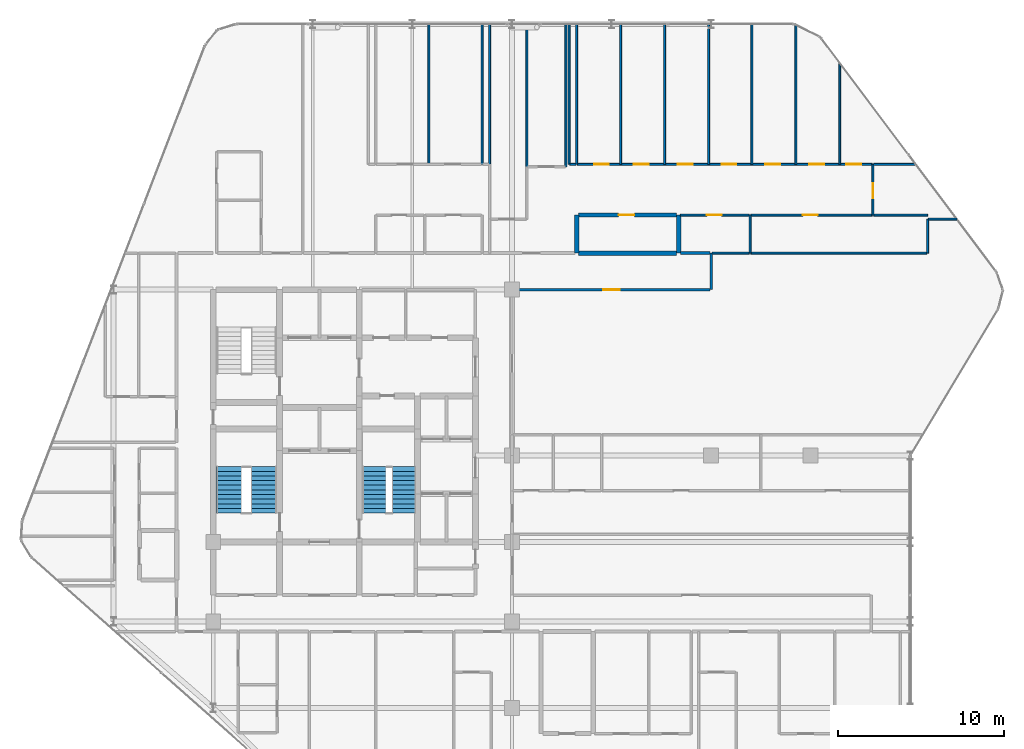
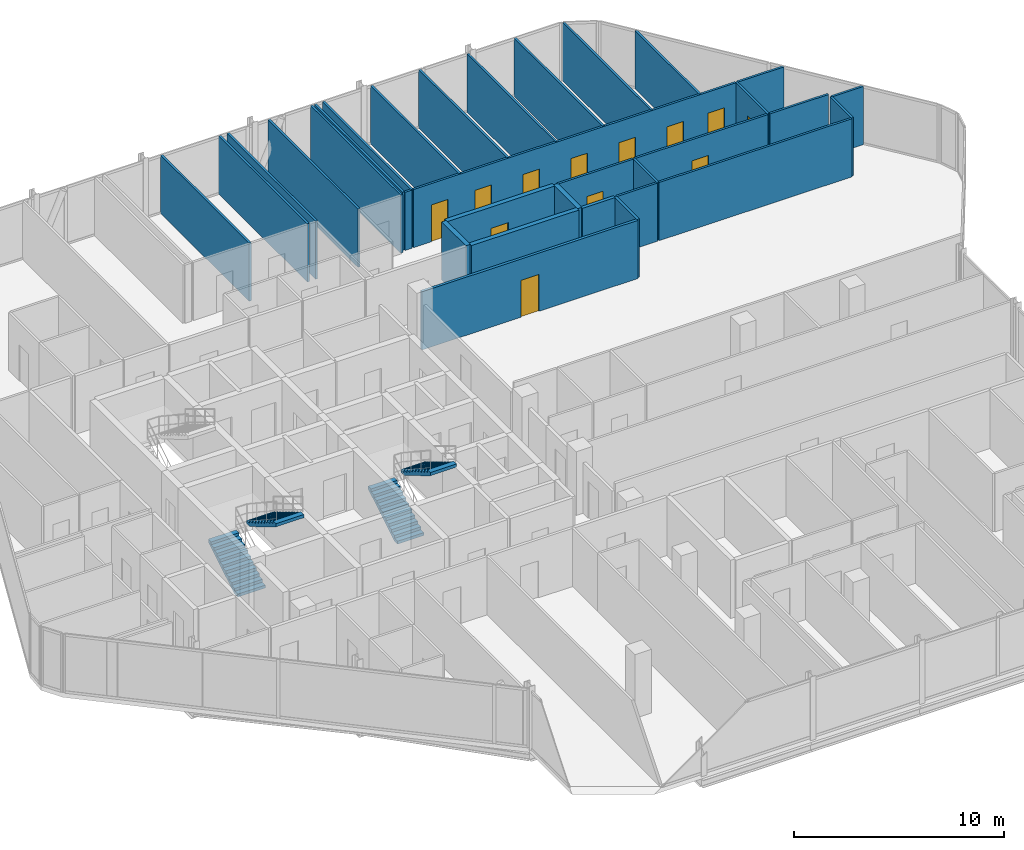
# One storey, part 30 of 32: 32 walls, 12 doors, 4 stair flights, 12 openings, 2 elements without a shape of their own.
"""IFC4 building model written with IfcOpenShell, lengths in metres."""

from ifc_helpers import new_model, si_unit, direction, frame, frame_2d, origin, place, context, subcontext, project, spatial, polyline, rectangle, outline, extrude, material, layer, layer_set, type_object, element, fill, aggregate, save


model = new_model("IFC4")

# Units and contexts
model_context = context("Model", 3, precision=1e-05, world=origin(), true_north=direction((0.0, 1.0)))
body_context = subcontext(model_context, "Body", "Model", "MODEL_VIEW")
ifc_project = project(units=[si_unit("LENGTHUNIT", "METRE"), si_unit("AREAUNIT", "SQUARE_METRE"), si_unit("VOLUMEUNIT", "CUBIC_METRE"), si_unit("PLANEANGLEUNIT", "RADIAN"), si_unit("MASSUNIT", "GRAM", prefix="KILO")], contexts=[model_context])

# Site, building, storey
site_placement = place(None, origin())
site = spatial("IfcSite", under=ifc_project, at=site_placement, CompositionType="ELEMENT")
building_placement = place(site_placement, origin())
building = spatial("IfcBuilding", under=site, at=building_placement, Name="Keshet Zoharim Tower", CompositionType="ELEMENT")
storey_placement = place(building_placement, frame((0.0, 0.0, 137.199951171875)))
storey = spatial("IfcBuildingStorey", under=building, at=storey_placement, Name="L33", CompositionType="ELEMENT", Elevation=137.199951171875)

# Wall
ifc_material_1 = material(Name="Gypsum Plasterboard", Category="gypsum")
ifc_layer_1 = layer(ifc_material_1, 0.14990234375)
ifc_layer_set_1 = layer_set([ifc_layer_1], Name="Gypsum Plasterboard")
wall_type_1 = type_object("IfcWallType", Name="WL-CLIN-150", PredefinedType="STANDARD", material=ifc_layer_set_1)
wall_1_placement = place(storey_placement, frame((45.0, 37.89990234375, 0.0), z_axis=(0.0, 0.0, 1.0), x_axis=(0.0, 1.0, 0.0)))
element("IfcWall", 1, at=wall_1_placement, inside=storey, type_object=wall_type_1, Name="L33 Interior Wall 099", PredefinedType="STANDARD", context=body_context, shape_type="SweptSolid", body=[
    extrude(rectangle(XDim=2.2001953125, YDim=0.14990234375, at=frame_2d((1.10009765625, 0.0))), origin(), (0.0, 0.0, 1.0), 3.385009765625),
])

# Wall, opening, door
wall_2_placement = place(storey_placement, frame((33.06005859375, 37.89990234375, 0.0), z_axis=(0.0, 0.0, 1.0), x_axis=(1.0, 0.0, 0.0)))
wall_2 = element("IfcWall", 2, at=wall_2_placement, inside=storey, type_object=wall_type_1, Name="L33 Interior Wall 191", PredefinedType="STANDARD", context=body_context, shape_type="SweptSolid", body=[
    extrude(rectangle(XDim=11.87890625, YDim=0.14990234375, at=frame_2d((5.939453125, 0.0))), origin(), (0.0, 0.0, 1.0), 3.385009765625),
])
opening_1_placement = place(wall_2_placement, frame((5.43896484375, 0.0, 0.0)))
opening_1 = element("IfcOpeningElement", 3, at=opening_1_placement, cuts=wall_2, Name="Opening D-F310", PredefinedType="OPENING", context=body_context, shape_type="SweptSolid", body=[
    extrude(rectangle(XDim=1.0, YDim=2.14990234375, at=frame_2d((0.5, 1.074951171875))), frame((0.0, 0.0849609375, 0.0), z_axis=(0.0, -1.0, 0.0), x_axis=(1.0, 0.0, 0.0)), (0.0, 0.0, 1.0), 0.169921875),
])
ifc_material_2 = material(Name="Hardwood Timber", Category="wood")
door_type_1 = type_object("IfcDoorType", Name="DR-FD30-100", OperationType="NOTDEFINED", PredefinedType="DOOR", material=ifc_material_2)
door_1_placement = place(opening_1_placement, origin())
door_1 = element("IfcDoor", 4, at=door_1_placement, inside=storey, type_object=door_type_1, Name="L33 North East Residents Services Suite Door 1", OperationType="SINGLE_SWING_LEFT", OverallHeight=2.14990234375, OverallWidth=1.0, PredefinedType="DOOR", context=body_context, shape_type="SweptSolid", body=[
    extrude(rectangle(XDim=1.0, YDim=2.14990234375, at=frame_2d((0.5, 1.074951171875))), frame((0.0, 0.02490234375, 0.0), z_axis=(0.0, -1.0, 0.0), x_axis=(1.0, 0.0, 0.0)), (0.0, 0.0, 1.0), 0.050048828125),
])
fill(opening_1, door_1)

# Walls
ifc_layer_2 = layer(ifc_material_1, 0.179931640625)
ifc_layer_set_2 = layer_set([ifc_layer_2], Name="Gypsum Plasterboard")
wall_type_2 = type_object("IfcWallType", Name="WL-CORR-180", PredefinedType="STANDARD", material=ifc_layer_set_2)
wall_3_placement = place(storey_placement, frame((43.139892578125, 40.10009765625, 0.0), z_axis=(0.0, 0.0, 1.0), x_axis=(1.0, 0.0, 0.0)))
element("IfcWall", 5, at=wall_3_placement, inside=storey, type_object=wall_type_2, Name="L33 Interior Wall 202", PredefinedType="STANDARD", context=body_context, shape_type="SweptSolid", body=[
    extrude(rectangle(XDim=1.800048828125, YDim=0.179931640625, at=frame_2d((0.89990234375, 0.0))), origin(), (0.0, 0.0, 1.0), 3.385009765625),
])
ifc_material_3 = material(Name="Concrete C50/60", Category="concrete")
ifc_layer_3 = layer(ifc_material_3, 0.25)
ifc_layer_set_3 = layer_set([ifc_layer_3], Name="Concrete C50/60")
wall_type_3 = type_object("IfcWallType", Name="WL-MAMAD-250", PredefinedType="STANDARD", material=ifc_layer_set_3)
for number, where, z_axis, x_axis, name in (
    (6, (36.89990234375, 40.10009765625, 0.0), (0.0, 0.0, 1.0), (0.0, 1.0, 0.0), "L33 Interior Wall 083"),
    (7, (43.050048828125, 40.10009765625, 0.0), (0.0, 0.0, 1.0), (0.0, 1.0, 0.0), "L33 Interior Wall 092"),
):
    element("IfcWall", number, at=place(storey_placement, frame(where, z_axis=z_axis, x_axis=x_axis)), inside=storey, type_object=wall_type_3, Name=name, PredefinedType="STANDARD", context=body_context, shape_type="SweptSolid", body=[
        extrude(rectangle(XDim=2.2998046875, YDim=0.25, at=frame_2d((1.14990234375, 0.0))), origin(), (0.0, 0.0, 1.0), 3.385009765625),
    ])
wall_4_placement = place(storey_placement, frame((37.010009765625, 40.10009765625, 0.0), z_axis=(0.0, 0.0, 1.0), x_axis=(1.0, 0.0, 0.0)))
element("IfcWall", 8, at=wall_4_placement, inside=storey, type_object=wall_type_3, Name="L33 Interior Wall 201", PredefinedType="STANDARD", context=body_context, shape_type="SweptSolid", body=[
    extrude(rectangle(XDim=5.909912109375, YDim=0.25, at=frame_2d((2.955078125, 0.0))), origin(), (0.0, 0.0, 1.0), 3.385009765625),
])

# Wall, opening, door
wall_5_placement = place(storey_placement, frame((37.010009765625, 42.39990234375, 0.0), z_axis=(0.0, 0.0, 1.0), x_axis=(1.0, 0.0, 0.0)))
wall_5 = element("IfcWall", 9, at=wall_5_placement, inside=storey, type_object=wall_type_3, Name="L33 Interior Wall 209", PredefinedType="STANDARD", context=body_context, shape_type="SweptSolid", body=[
    extrude(rectangle(XDim=5.909912109375, YDim=0.25, at=frame_2d((2.955078125, 0.0))), origin(), (0.0, 0.0, 1.0), 3.385009765625),
])
opening_2_placement = place(wall_5_placement, frame((2.408935546875, 0.0, 0.0)))
opening_2 = element("IfcOpeningElement", 10, at=opening_2_placement, cuts=wall_5, Name="Opening D-F695", PredefinedType="OPENING", context=body_context, shape_type="SweptSolid", body=[
    extrude(rectangle(XDim=0.949951171875, YDim=2.14990234375, at=frame_2d((0.47509765625, 1.074951171875))), frame((0.0, 0.135009765625, 0.0), z_axis=(0.0, -1.0, 0.0), x_axis=(1.0, 0.0, 0.0)), (0.0, 0.0, 1.0), 0.27001953125),
])
door_type_2 = type_object("IfcDoorType", Name="DR-FD60-095", OperationType="NOTDEFINED", PredefinedType="DOOR", material=ifc_material_2)
door_2_placement = place(opening_2_placement, origin())
door_2 = element("IfcDoor", 11, at=door_2_placement, inside=storey, type_object=door_type_2, Name="Apartment 3306 Study and Shelter Room Door", OperationType="SINGLE_SWING_RIGHT", OverallHeight=2.14990234375, OverallWidth=0.949951171875, PredefinedType="DOOR", context=body_context, shape_type="SweptSolid", body=[
    extrude(rectangle(XDim=0.949951171875, YDim=2.14990234375, at=frame_2d((0.47509765625, 1.074951171875))), frame((0.0, 0.02490234375, 0.0), z_axis=(0.0, -1.0, 0.0), x_axis=(1.0, 0.0, 0.0)), (0.0, 0.0, 1.0), 0.050048828125),
])
fill(opening_2, door_2)

# Walls
ifc_layer_4 = layer(ifc_material_1, 0.1201171875)
ifc_layer_set_4 = layer_set([ifc_layer_4], Name="Gypsum Plasterboard")
wall_type_4 = type_object("IfcWallType", Name="WL-PART-120", PredefinedType="PARTITIONING", material=ifc_layer_set_4)
for number, where, z_axis, x_axis, name in (
    (12, (28.0, 45.449951171875, 0.0), (0.0, 0.0, 1.0), (0.0, 1.0, 0.0), "L33 Interior Wall 053"),
    (13, (31.199951171875, 45.449951171875, 0.0), (0.0, 0.0, 1.0), (0.0, 1.0, 0.0), "L33 Interior Wall 066"),
    (14, (31.64990234375, 45.449951171875, 0.0), (0.0, 0.0, 1.0), (0.0, 1.0, 0.0), "L33 Interior Wall 069"),
):
    element("IfcWall", number, at=place(storey_placement, frame(where, z_axis=z_axis, x_axis=x_axis)), inside=storey, type_object=wall_type_4, Name=name, PredefinedType="PARTITIONING", context=body_context, shape_type="SweptSolid", body=[
        extrude(rectangle(XDim=8.43994140625, YDim=0.1201171875, at=frame_2d((4.219970703125, 0.0))), origin(), (0.0, 0.0, 1.0), 3.385009765625),
    ])
for number, where, z_axis, x_axis, name in (
    (15, (33.89990234375, 45.300048828125, 0.0), (0.0, 0.0, 1.0), (0.0, 1.0, 0.0), "L33 Interior Wall 076"),
    (16, (36.25, 45.300048828125, 0.0), (0.0, 0.0, 1.0), (0.0, 1.0, 0.0), "L33 Interior Wall 081"),
):
    element("IfcWall", number, at=place(storey_placement, frame(where, z_axis=z_axis, x_axis=x_axis)), inside=storey, type_object=wall_type_4, Name=name, PredefinedType="PARTITIONING", context=body_context, shape_type="SweptSolid", body=[
        extrude(rectangle(XDim=8.58984375, YDim=0.1201171875, at=frame_2d((4.294921875, 0.0))), origin(), (0.0, 0.0, 1.0), 3.385009765625),
    ])
for number, where, z_axis, x_axis, name in (
    (17, (36.449951171875, 45.449951171875, 0.0), (0.0, 0.0, 1.0), (0.0, 1.0, 0.0), "L33 Interior Wall 082"),
    (18, (36.89990234375, 45.449951171875, 0.0), (0.0, 0.0, 1.0), (0.0, 1.0, 0.0), "L33 Interior Wall 084"),
    (19, (39.550048828125, 45.449951171875, 0.0), (0.0, 0.0, 1.0), (0.0, 1.0, 0.0), "L33 Interior Wall 088"),
    (20, (42.199951171875, 45.449951171875, 0.0), (0.0, 0.0, 1.0), (0.0, 1.0, 0.0), "L33 Interior Wall 091"),
    (21, (44.85009765625, 45.449951171875, 0.0), (0.0, 0.0, 1.0), (0.0, 1.0, 0.0), "L33 Interior Wall 098"),
    (22, (47.449951171875, 45.449951171875, 0.0), (0.0, 0.0, 1.0), (0.0, 1.0, 0.0), "L33 Interior Wall 102"),
):
    element("IfcWall", number, at=place(storey_placement, frame(where, z_axis=z_axis, x_axis=x_axis)), inside=storey, type_object=wall_type_4, Name=name, PredefinedType="PARTITIONING", context=body_context, shape_type="SweptSolid", body=[
        extrude(rectangle(XDim=8.43994140625, YDim=0.1201171875, at=frame_2d((4.219970703125, 0.0))), origin(), (0.0, 0.0, 1.0), 3.385009765625),
    ])
wall_6_placement = place(storey_placement, frame((50.10009765625, 45.449951171875, 0.0), z_axis=(0.0, 0.0, 1.0), x_axis=(0.0, 1.0, 0.0)))
element("IfcWall", 23, at=wall_6_placement, inside=storey, type_object=wall_type_4, Name="L33 Interior Wall 107", PredefinedType="PARTITIONING", context=body_context, shape_type="SweptSolid", body=[
    extrude(rectangle(XDim=8.39013671875, YDim=0.1201171875, at=frame_2d((4.195068359375, 0.0))), origin(), (0.0, 0.0, 1.0), 3.385009765625),
])
wall_7_placement = place(storey_placement, frame((52.75, 45.449951171875, 0.0), z_axis=(0.0, 0.0, 1.0), x_axis=(0.0, 1.0, 0.0)))
element("IfcWall", 24, at=wall_7_placement, inside=storey, type_object=wall_type_4, Name="L33 Interior Wall 110", PredefinedType="PARTITIONING", context=body_context, shape_type="SweptSolid", body=[
    extrude(rectangle(XDim=6.10693359375, YDim=0.1201171875, at=frame_2d((3.053466796875, 0.0))), origin(), (0.0, 0.0, 1.0), 3.385009765625),
])

# Wall, opening, door
wall_8_placement = place(storey_placement, frame((54.75, 42.39990234375, 0.0), z_axis=(0.0, 0.0, 1.0), x_axis=(0.0, 1.0, 0.0)))
wall_8 = element("IfcWall", 25, at=wall_8_placement, inside=storey, type_object=wall_type_4, Name="L33 Interior Wall 113", PredefinedType="PARTITIONING", context=body_context, shape_type="SweptSolid", body=[
    extrude(rectangle(XDim=3.050048828125, YDim=0.1201171875, at=frame_2d((1.52490234375, 0.0))), origin(), (0.0, 0.0, 1.0), 3.385009765625),
])
opening_3_placement = place(wall_8_placement, frame((1.0029296875, 0.0, 0.0)))
opening_3 = element("IfcOpeningElement", 26, at=opening_3_placement, cuts=wall_8, Name="Opening D-IN90", PredefinedType="OPENING", context=body_context, shape_type="SweptSolid", body=[
    extrude(rectangle(XDim=0.89990234375, YDim=2.14990234375, at=frame_2d((0.449951171875, 1.074951171875))), frame((0.0, 0.070068359375, 0.0), z_axis=(0.0, -1.0, 0.0), x_axis=(1.0, 0.0, 0.0)), (0.0, 0.0, 1.0), 0.14013671875),
])
door_type_3 = type_object("IfcDoorType", Name="DR-INT-090", OperationType="NOTDEFINED", PredefinedType="DOOR", material=ifc_material_2)
door_3_placement = place(opening_3_placement, origin())
door_3 = element("IfcDoor", 27, at=door_3_placement, inside=storey, type_object=door_type_3, Name="Apartment 3306 Private Reading Room Door", OperationType="SINGLE_SWING_LEFT", OverallHeight=2.14990234375, OverallWidth=0.89990234375, PredefinedType="DOOR", context=body_context, shape_type="SweptSolid", body=[
    extrude(rectangle(XDim=0.89990234375, YDim=2.14990234375, at=frame_2d((0.449951171875, 1.074951171875))), frame((0.0, 0.02490234375, 0.0), z_axis=(0.0, -1.0, 0.0), x_axis=(1.0, 0.0, 0.0)), (0.0, 0.0, 1.0), 0.050048828125),
])
fill(opening_3, door_3)

# Walls
wall_9_placement = place(storey_placement, frame((58.050048828125, 40.10009765625, 0.0), z_axis=(0.0, 0.0, 1.0), x_axis=(0.0, 1.0, 0.0)))
element("IfcWall", 28, at=wall_9_placement, inside=storey, type_object=wall_type_4, Name="L33 Interior Wall 115", PredefinedType="PARTITIONING", context=body_context, shape_type="SweptSolid", body=[
    extrude(rectangle(XDim=2.0498046875, YDim=0.1201171875, at=frame_2d((1.02490234375, 0.0))), origin(), (0.0, 0.0, 1.0), 3.385009765625),
])
wall_10_placement = place(storey_placement, frame((47.375, 40.10009765625, 0.0), z_axis=(0.0, 0.0, 1.0), x_axis=(1.0, 0.0, 0.0)))
element("IfcWall", 29, at=wall_10_placement, inside=storey, type_object=wall_type_4, Name="L33 Interior Wall 204", PredefinedType="PARTITIONING", context=body_context, shape_type="SweptSolid", body=[
    extrude(rectangle(XDim=10.616943359375, YDim=0.1201171875, at=frame_2d((5.30859375, 0.0))), origin(), (0.0, 0.0, 1.0), 3.385009765625),
])
wall_11_placement = place(storey_placement, frame((58.0830078125, 42.14990234375, 0.0), z_axis=(0.0, 0.0, 1.0), x_axis=(1.0, 0.0, 0.0)))
element("IfcWall", 30, at=wall_11_placement, inside=storey, type_object=wall_type_4, Name="L33 Interior Wall 206", PredefinedType="PARTITIONING", context=body_context, shape_type="SweptSolid", body=[
    extrude(rectangle(XDim=1.719970703125, YDim=0.1201171875, at=frame_2d((0.85986328125, 0.0))), origin(), (0.0, 0.0, 1.0), 3.385009765625),
])

# Wall, opening, door
wall_12_placement = place(storey_placement, frame((47.375, 42.39990234375, 0.0), z_axis=(0.0, 0.0, 1.0), x_axis=(1.0, 0.0, 0.0)))
wall_12 = element("IfcWall", 31, at=wall_12_placement, inside=storey, type_object=wall_type_4, Name="L33 Interior Wall 211", PredefinedType="PARTITIONING", context=body_context, shape_type="SweptSolid", body=[
    extrude(rectangle(XDim=7.330078125, YDim=0.1201171875, at=frame_2d((3.6650390625, 0.0))), origin(), (0.0, 0.0, 1.0), 3.385009765625),
])
opening_4_placement = place(wall_12_placement, frame((3.14501953125, 0.0, 0.0)))
opening_4 = element("IfcOpeningElement", 32, at=opening_4_placement, cuts=wall_12, Name="Opening D-IN90", PredefinedType="OPENING", context=body_context, shape_type="SweptSolid", body=[
    extrude(rectangle(XDim=0.89990234375, YDim=2.14990234375, at=frame_2d((0.449951171875, 1.074951171875))), frame((0.0, 0.070068359375, 0.0), z_axis=(0.0, -1.0, 0.0), x_axis=(1.0, 0.0, 0.0)), (0.0, 0.0, 1.0), 0.14013671875),
])
door_4_placement = place(opening_4_placement, origin())
door_4 = element("IfcDoor", 33, at=door_4_placement, inside=storey, type_object=door_type_3, Name="Apartment 3306 Kitchen Door", OperationType="SINGLE_SWING_RIGHT", OverallHeight=2.14990234375, OverallWidth=0.89990234375, PredefinedType="DOOR", context=body_context, shape_type="SweptSolid", body=[
    extrude(rectangle(XDim=0.89990234375, YDim=2.14990234375, at=frame_2d((0.449951171875, 1.074951171875))), frame((0.0, 0.02490234375, 0.0), z_axis=(0.0, -1.0, 0.0), x_axis=(1.0, 0.0, 0.0)), (0.0, 0.0, 1.0), 0.050048828125),
])
fill(opening_4, door_4)

# Walls
wall_13_placement = place(storey_placement, frame((54.794921875, 42.39990234375, 0.0), z_axis=(0.0, 0.0, 1.0), x_axis=(1.0, 0.0, 0.0)))
element("IfcWall", 34, at=wall_13_placement, inside=storey, type_object=wall_type_4, Name="L33 Interior Wall 212", PredefinedType="PARTITIONING", context=body_context, shape_type="SweptSolid", body=[
    extrude(rectangle(XDim=3.2431640625, YDim=0.1201171875, at=frame_2d((1.62158203125, 0.0))), origin(), (0.0, 0.0, 1.0), 3.385009765625),
])
wall_14_placement = place(storey_placement, frame((36.4951171875, 45.449951171875, 0.0), z_axis=(0.0, 0.0, 1.0), x_axis=(1.0, 0.0, 0.0)))
element("IfcWall", 35, at=wall_14_placement, inside=storey, type_object=wall_type_4, Name="L33 Interior Wall 218", PredefinedType="PARTITIONING", context=body_context, shape_type="SweptSolid", body=[
    extrude(rectangle(XDim=0.35986328125, YDim=0.1201171875, at=frame_2d((0.179931640625, 0.0))), origin(), (0.0, 0.0, 1.0), 3.385009765625),
])

# Wall, openings, doors
wall_15_placement = place(storey_placement, frame((36.945068359375, 45.449951171875, 0.0), z_axis=(0.0, 0.0, 1.0), x_axis=(1.0, 0.0, 0.0)))
wall_15 = element("IfcWall", 36, at=wall_15_placement, inside=storey, type_object=wall_type_4, Name="L33 Interior Wall 219", PredefinedType="PARTITIONING", context=body_context, shape_type="SweptSolid", body=[
    extrude(rectangle(XDim=17.760009765625, YDim=0.1201171875, at=frame_2d((8.8798828125, 0.0))), origin(), (0.0, 0.0, 1.0), 3.385009765625),
])
opening_5_placement = place(wall_15_placement, frame((1.0009765625, 0.0, 0.0)))
opening_5 = element("IfcOpeningElement", 37, at=opening_5_placement, cuts=wall_15, Name="Opening D-IN90", PredefinedType="OPENING", context=body_context, shape_type="SweptSolid", body=[
    extrude(rectangle(XDim=0.89990234375, YDim=2.14990234375, at=frame_2d((0.449951171875, 1.074951171875))), frame((0.0, 0.070068359375, 0.0), z_axis=(0.0, -1.0, 0.0), x_axis=(1.0, 0.0, 0.0)), (0.0, 0.0, 1.0), 0.14013671875),
])
opening_6_placement = place(wall_15_placement, frame((3.39794921875, 0.0, 0.0)))
opening_6 = element("IfcOpeningElement", 38, at=opening_6_placement, cuts=wall_15, Name="Opening D-IN90", PredefinedType="OPENING", context=body_context, shape_type="SweptSolid", body=[
    extrude(rectangle(XDim=0.89990234375, YDim=2.14990234375, at=frame_2d((0.449951171875, 1.074951171875))), frame((0.0, 0.070068359375, 0.0), z_axis=(0.0, -1.0, 0.0), x_axis=(1.0, 0.0, 0.0)), (0.0, 0.0, 1.0), 0.14013671875),
])
opening_7_placement = place(wall_15_placement, frame((6.0400390625, 0.0, 0.0)))
opening_7 = element("IfcOpeningElement", 39, at=opening_7_placement, cuts=wall_15, Name="Opening D-IN90", PredefinedType="OPENING", context=body_context, shape_type="SweptSolid", body=[
    extrude(rectangle(XDim=0.89990234375, YDim=2.14990234375, at=frame_2d((0.449951171875, 1.074951171875))), frame((0.0, 0.070068359375, 0.0), z_axis=(0.0, -1.0, 0.0), x_axis=(1.0, 0.0, 0.0)), (0.0, 0.0, 1.0), 0.14013671875),
])
opening_8_placement = place(wall_15_placement, frame((8.68310546875, 0.0, 0.0)))
opening_8 = element("IfcOpeningElement", 40, at=opening_8_placement, cuts=wall_15, Name="Opening D-IN90", PredefinedType="OPENING", context=body_context, shape_type="SweptSolid", body=[
    extrude(rectangle(XDim=0.89990234375, YDim=2.14990234375, at=frame_2d((0.449951171875, 1.074951171875))), frame((0.0, 0.070068359375, 0.0), z_axis=(0.0, -1.0, 0.0), x_axis=(1.0, 0.0, 0.0)), (0.0, 0.0, 1.0), 0.14013671875),
])
opening_9_placement = place(wall_15_placement, frame((11.324951171875, 0.0, 0.0)))
opening_9 = element("IfcOpeningElement", 41, at=opening_9_placement, cuts=wall_15, Name="Opening D-IN90", PredefinedType="OPENING", context=body_context, shape_type="SweptSolid", body=[
    extrude(rectangle(XDim=0.89990234375, YDim=2.14990234375, at=frame_2d((0.449951171875, 1.074951171875))), frame((0.0, 0.070068359375, 0.0), z_axis=(0.0, -1.0, 0.0), x_axis=(1.0, 0.0, 0.0)), (0.0, 0.0, 1.0), 0.14013671875),
])
opening_10_placement = place(wall_15_placement, frame((13.967041015625, 0.0, 0.0)))
opening_10 = element("IfcOpeningElement", 42, at=opening_10_placement, cuts=wall_15, Name="Opening D-IN90", PredefinedType="OPENING", context=body_context, shape_type="SweptSolid", body=[
    extrude(rectangle(XDim=0.89990234375, YDim=2.14990234375, at=frame_2d((0.449951171875, 1.074951171875))), frame((0.0, 0.070068359375, 0.0), z_axis=(0.0, -1.0, 0.0), x_axis=(1.0, 0.0, 0.0)), (0.0, 0.0, 1.0), 0.14013671875),
])
opening_11_placement = place(wall_15_placement, frame((16.2080078125, 0.0, 0.0)))
opening_11 = element("IfcOpeningElement", 43, at=opening_11_placement, cuts=wall_15, Name="Opening D-IN90", PredefinedType="OPENING", context=body_context, shape_type="SweptSolid", body=[
    extrude(rectangle(XDim=0.89990234375, YDim=2.14990234375, at=frame_2d((0.449951171875, 1.074951171875))), frame((0.0, 0.070068359375, 0.0), z_axis=(0.0, -1.0, 0.0), x_axis=(1.0, 0.0, 0.0)), (0.0, 0.0, 1.0), 0.14013671875),
])
door_5_placement = place(opening_5_placement, origin())
door_5 = element("IfcDoor", 44, at=door_5_placement, inside=storey, type_object=door_type_3, Name="Apartment 3306 Bedroom 1 Door", OperationType="SINGLE_SWING_RIGHT", OverallHeight=2.14990234375, OverallWidth=0.89990234375, PredefinedType="DOOR", context=body_context, shape_type="SweptSolid", body=[
    extrude(rectangle(XDim=0.89990234375, YDim=2.14990234375, at=frame_2d((0.449951171875, 1.074951171875))), frame((0.0, 0.02490234375, 0.0), z_axis=(0.0, -1.0, 0.0), x_axis=(1.0, 0.0, 0.0)), (0.0, 0.0, 1.0), 0.050048828125),
])
fill(opening_5, door_5)
door_6_placement = place(opening_6_placement, origin())
door_6 = element("IfcDoor", 45, at=door_6_placement, inside=storey, type_object=door_type_3, Name="Apartment 3306 Bedroom 2 Door", OperationType="SINGLE_SWING_LEFT", OverallHeight=2.14990234375, OverallWidth=0.89990234375, PredefinedType="DOOR", context=body_context, shape_type="SweptSolid", body=[
    extrude(rectangle(XDim=0.89990234375, YDim=2.14990234375, at=frame_2d((0.449951171875, 1.074951171875))), frame((0.0, 0.02490234375, 0.0), z_axis=(0.0, -1.0, 0.0), x_axis=(1.0, 0.0, 0.0)), (0.0, 0.0, 1.0), 0.050048828125),
])
fill(opening_6, door_6)
door_7_placement = place(opening_7_placement, origin())
door_7 = element("IfcDoor", 46, at=door_7_placement, inside=storey, type_object=door_type_3, Name="Apartment 3306 Bedroom 3 Door", OperationType="SINGLE_SWING_RIGHT", OverallHeight=2.14990234375, OverallWidth=0.89990234375, PredefinedType="DOOR", context=body_context, shape_type="SweptSolid", body=[
    extrude(rectangle(XDim=0.89990234375, YDim=2.14990234375, at=frame_2d((0.449951171875, 1.074951171875))), frame((0.0, 0.02490234375, 0.0), z_axis=(0.0, -1.0, 0.0), x_axis=(1.0, 0.0, 0.0)), (0.0, 0.0, 1.0), 0.050048828125),
])
fill(opening_7, door_7)
door_8_placement = place(opening_8_placement, origin())
door_8 = element("IfcDoor", 47, at=door_8_placement, inside=storey, type_object=door_type_3, Name="Apartment 3306 Bedroom 4 Door", OperationType="SINGLE_SWING_LEFT", OverallHeight=2.14990234375, OverallWidth=0.89990234375, PredefinedType="DOOR", context=body_context, shape_type="SweptSolid", body=[
    extrude(rectangle(XDim=0.89990234375, YDim=2.14990234375, at=frame_2d((0.449951171875, 1.074951171875))), frame((0.0, 0.02490234375, 0.0), z_axis=(0.0, -1.0, 0.0), x_axis=(1.0, 0.0, 0.0)), (0.0, 0.0, 1.0), 0.050048828125),
])
fill(opening_8, door_8)
door_9_placement = place(opening_9_placement, origin())
door_9 = element("IfcDoor", 48, at=door_9_placement, inside=storey, type_object=door_type_3, Name="Apartment 3306 Bedroom 5 Door", OperationType="SINGLE_SWING_RIGHT", OverallHeight=2.14990234375, OverallWidth=0.89990234375, PredefinedType="DOOR", context=body_context, shape_type="SweptSolid", body=[
    extrude(rectangle(XDim=0.89990234375, YDim=2.14990234375, at=frame_2d((0.449951171875, 1.074951171875))), frame((0.0, 0.02490234375, 0.0), z_axis=(0.0, -1.0, 0.0), x_axis=(1.0, 0.0, 0.0)), (0.0, 0.0, 1.0), 0.050048828125),
])
fill(opening_9, door_9)
door_10_placement = place(opening_10_placement, origin())
door_10 = element("IfcDoor", 49, at=door_10_placement, inside=storey, type_object=door_type_3, Name="Apartment 3306 Bedroom 6 Door", OperationType="SINGLE_SWING_LEFT", OverallHeight=2.14990234375, OverallWidth=0.89990234375, PredefinedType="DOOR", context=body_context, shape_type="SweptSolid", body=[
    extrude(rectangle(XDim=0.89990234375, YDim=2.14990234375, at=frame_2d((0.449951171875, 1.074951171875))), frame((0.0, 0.02490234375, 0.0), z_axis=(0.0, -1.0, 0.0), x_axis=(1.0, 0.0, 0.0)), (0.0, 0.0, 1.0), 0.050048828125),
])
fill(opening_10, door_10)
door_11_placement = place(opening_11_placement, origin())
door_11 = element("IfcDoor", 50, at=door_11_placement, inside=storey, type_object=door_type_3, Name="Apartment 3306 Bedroom 7 Door", OperationType="SINGLE_SWING_RIGHT", OverallHeight=2.14990234375, OverallWidth=0.89990234375, PredefinedType="DOOR", context=body_context, shape_type="SweptSolid", body=[
    extrude(rectangle(XDim=0.89990234375, YDim=2.14990234375, at=frame_2d((0.449951171875, 1.074951171875))), frame((0.0, 0.02490234375, 0.0), z_axis=(0.0, -1.0, 0.0), x_axis=(1.0, 0.0, 0.0)), (0.0, 0.0, 1.0), 0.050048828125),
])
fill(opening_11, door_11)

# Walls
wall_16_placement = place(storey_placement, frame((54.794921875, 45.449951171875, 0.0), z_axis=(0.0, 0.0, 1.0), x_axis=(1.0, 0.0, 0.0)))
element("IfcWall", 51, at=wall_16_placement, inside=storey, type_object=wall_type_4, Name="L33 Interior Wall 220", PredefinedType="PARTITIONING", context=body_context, shape_type="SweptSolid", body=[
    extrude(rectangle(XDim=2.532958984375, YDim=0.1201171875, at=frame_2d((1.2666015625, 0.0))), origin(), (0.0, 0.0, 1.0), 3.385009765625),
])
ifc_layer_5 = layer(ifc_material_1, 0.1201171875)
ifc_layer_set_5 = layer_set([ifc_layer_5], Name="Gypsum Plasterboard")
wall_type_5 = type_object("IfcWallType", Name="WL-WET-120", PredefinedType="PARTITIONING", material=ifc_layer_set_5)
wall_17_placement = place(storey_placement, frame((47.35009765625, 40.10009765625, 0.0), z_axis=(0.0, 0.0, 1.0), x_axis=(0.0, 1.0, 0.0)))
element("IfcWall", 52, at=wall_17_placement, inside=storey, type_object=wall_type_5, Name="L33 Interior Wall 101", PredefinedType="PARTITIONING", context=body_context, shape_type="SweptSolid", body=[
    extrude(rectangle(XDim=2.2998046875, YDim=0.1201171875, at=frame_2d((1.14990234375, 0.0))), origin(), (0.0, 0.0, 1.0), 3.385009765625),
])
wall_18_placement = place(storey_placement, frame((45.06005859375, 40.10009765625, 0.0), z_axis=(0.0, 0.0, 1.0), x_axis=(1.0, 0.0, 0.0)))
element("IfcWall", 53, at=wall_18_placement, inside=storey, type_object=wall_type_5, Name="L33 Interior Wall 203", PredefinedType="PARTITIONING", context=body_context, shape_type="SweptSolid", body=[
    extrude(rectangle(XDim=2.224853515625, YDim=0.1201171875, at=frame_2d((1.1123046875, 0.0))), origin(), (0.0, 0.0, 1.0), 3.385009765625),
])

# Wall, opening, door
wall_19_placement = place(storey_placement, frame((43.139892578125, 42.39990234375, 0.0), z_axis=(0.0, 0.0, 1.0), x_axis=(1.0, 0.0, 0.0)))
wall_19 = element("IfcWall", 54, at=wall_19_placement, inside=storey, type_object=wall_type_5, Name="L33 Interior Wall 210", PredefinedType="PARTITIONING", context=body_context, shape_type="SweptSolid", body=[
    extrude(rectangle(XDim=4.14501953125, YDim=0.1201171875, at=frame_2d((2.072509765625, 0.0))), origin(), (0.0, 0.0, 1.0), 3.385009765625),
])
opening_12_placement = place(wall_19_placement, frame((1.590087890625, 0.0, 0.0)))
opening_12 = element("IfcOpeningElement", 55, at=opening_12_placement, cuts=wall_19, Name="Opening D-WT90", PredefinedType="OPENING", context=body_context, shape_type="SweptSolid", body=[
    extrude(rectangle(XDim=0.89990234375, YDim=2.10009765625, at=frame_2d((0.449951171875, 1.050048828125))), frame((0.0, 0.070068359375, 0.0), z_axis=(0.0, -1.0, 0.0), x_axis=(1.0, 0.0, 0.0)), (0.0, 0.0, 1.0), 0.14013671875),
])
door_type_4 = type_object("IfcDoorType", Name="DR-WET-090", OperationType="NOTDEFINED", PredefinedType="DOOR", material=ifc_material_2)
door_12_placement = place(opening_12_placement, origin())
door_12 = element("IfcDoor", 56, at=door_12_placement, inside=storey, type_object=door_type_4, Name="Apartment 3306 Bathroom Door", OperationType="SINGLE_SWING_LEFT", OverallHeight=2.10009765625, OverallWidth=0.89990234375, PredefinedType="DOOR", context=body_context, shape_type="SweptSolid", body=[
    extrude(rectangle(XDim=0.89990234375, YDim=2.10009765625, at=frame_2d((0.449951171875, 1.050048828125))), frame((0.0, 0.02490234375, 0.0), z_axis=(0.0, -1.0, 0.0), x_axis=(1.0, 0.0, 0.0)), (0.0, 0.0, 1.0), 0.050048828125),
])
fill(opening_12, door_12)

# Stair, stair flights
stair_type = type_object("IfcStairType", Name="STR-EXIT-135", PredefinedType="HALF_TURN_STAIR", material=ifc_material_3)
stair_1_placement = place(storey_placement, origin())
stair_1 = element("IfcStair", 57, at=stair_1_placement, inside=storey, type_object=stair_type, Name="L33 Enclosed Exit Stair ST-01", PredefinedType="HALF_TURN_STAIR")
stair_flight_type_1 = type_object("IfcStairFlightType", Name="FLT-PRE-135", PredefinedType="STRAIGHT", material=ifc_material_3)
stair_flight_1_placement = place(storey_placement, frame((15.945068359375, 24.43994140625, 0.0), z_axis=(0.0, 0.0, 1.0), x_axis=(0.0, 1.0, 0.0)))
stair_flight_1 = element("IfcStairFlight", 58, at=stair_flight_1_placement, type_object=stair_flight_type_1, Name="ST-01 flight 1", NumberOfRisers=11, NumberOfTreads=10, PredefinedType="STRAIGHT", RiserHeight=0.168182, TreadLength=0.28, context=body_context, shape_type="SweptSolid", body=[
    extrude(outline(polyline([(0.0, 0.0), (0.0, 0.168212890625), (0.280029296875, 0.168212890625), (0.280029296875, 0.33642578125), (0.56005859375, 0.33642578125), (0.56005859375, 0.504638671875), (0.840087890625, 0.504638671875), (0.840087890625, 0.672607421875), (1.1201171875, 0.672607421875), (1.1201171875, 0.8408203125), (1.39990234375, 0.8408203125), (1.39990234375, 1.009033203125), (1.679931640625, 1.009033203125), (1.679931640625, 1.17724609375), (1.9599609375, 1.17724609375), (1.9599609375, 1.345458984375), (2.239990234375, 1.345458984375), (2.239990234375, 1.513671875), (2.52001953125, 1.513671875), (2.52001953125, 1.681884765625), (2.800048828125, 1.681884765625), (2.800048828125, 1.85009765625), (2.800048828125, 1.495361328125), (0.310546875, 0.0), (0.0, 0.0)])), frame((0.0, 0.76513671875, 0.0), z_axis=(0.0, -1.0, 0.0), x_axis=(1.0, 0.0, 0.0)), (0.0, 0.0, 1.0), 1.530029296875),
])
stair_flight_2_placement = place(storey_placement, frame((18.054931640625, 27.239990234375, 1.85009765625), z_axis=(0.0, 0.0, 1.0), x_axis=(0.0, -1.0, 0.0)))
stair_flight_2 = element("IfcStairFlight", 59, at=stair_flight_2_placement, type_object=stair_flight_type_1, Name="ST-01 flight 2", NumberOfRisers=11, NumberOfTreads=10, PredefinedType="STRAIGHT", RiserHeight=0.168182, TreadLength=0.28, context=body_context, shape_type="SweptSolid", body=[
    extrude(outline(polyline([(0.0, 0.0), (0.0, 0.168212890625), (0.280029296875, 0.168212890625), (0.280029296875, 0.33642578125), (0.56005859375, 0.33642578125), (0.56005859375, 0.504638671875), (0.840087890625, 0.504638671875), (0.840087890625, 0.672607421875), (1.1201171875, 0.672607421875), (1.1201171875, 0.8408203125), (1.39990234375, 0.8408203125), (1.39990234375, 1.009033203125), (1.679931640625, 1.009033203125), (1.679931640625, 1.17724609375), (1.9599609375, 1.17724609375), (1.9599609375, 1.345458984375), (2.239990234375, 1.345458984375), (2.239990234375, 1.513671875), (2.52001953125, 1.513671875), (2.52001953125, 1.681884765625), (2.800048828125, 1.681884765625), (2.800048828125, 1.85009765625), (2.800048828125, 1.495361328125), (0.310546875, 0.0), (0.0, 0.0)])), frame((0.0, 0.76513671875, 0.0), z_axis=(0.0, -1.0, 0.0), x_axis=(1.0, 0.0, 0.0)), (0.0, 0.0, 1.0), 1.530029296875),
])
aggregate(stair_1, [stair_flight_1, stair_flight_2])

stair_2_placement = place(storey_placement, origin())
stair_2 = element("IfcStair", 60, at=stair_2_placement, inside=storey, type_object=stair_type, Name="L33 Enclosed Exit Stair ST-03", PredefinedType="HALF_TURN_STAIR")
stair_flight_type_2 = type_object("IfcStairFlightType", Name="FLT-PRE-144", PredefinedType="STRAIGHT", material=ifc_material_3)
stair_flight_3_placement = place(storey_placement, frame((24.699951171875, 24.43994140625, 0.0), z_axis=(0.0, 0.0, 1.0), x_axis=(0.0, 1.0, 0.0)))
stair_flight_3 = element("IfcStairFlight", 61, at=stair_flight_3_placement, type_object=stair_flight_type_2, Name="ST-03 flight 1", NumberOfRisers=11, NumberOfTreads=10, PredefinedType="STRAIGHT", RiserHeight=0.168182, TreadLength=0.28, context=body_context, shape_type="SweptSolid", body=[
    extrude(outline(polyline([(0.0, 0.0), (0.0, 0.168212890625), (0.280029296875, 0.168212890625), (0.280029296875, 0.33642578125), (0.56005859375, 0.33642578125), (0.56005859375, 0.504638671875), (0.840087890625, 0.504638671875), (0.840087890625, 0.672607421875), (1.1201171875, 0.672607421875), (1.1201171875, 0.8408203125), (1.39990234375, 0.8408203125), (1.39990234375, 1.009033203125), (1.679931640625, 1.009033203125), (1.679931640625, 1.17724609375), (1.9599609375, 1.17724609375), (1.9599609375, 1.345458984375), (2.239990234375, 1.345458984375), (2.239990234375, 1.513671875), (2.52001953125, 1.513671875), (2.52001953125, 1.681884765625), (2.800048828125, 1.681884765625), (2.800048828125, 1.85009765625), (2.800048828125, 1.495361328125), (0.310546875, 0.0), (0.0, 0.0)])), frame((0.0, 0.719970703125, 0.0), z_axis=(0.0, -1.0, 0.0), x_axis=(1.0, 0.0, 0.0)), (0.0, 0.0, 1.0), 1.43994140625),
])
stair_flight_4_placement = place(storey_placement, frame((26.5, 27.239990234375, 1.85009765625), z_axis=(0.0, 0.0, 1.0), x_axis=(0.0, -1.0, 0.0)))
stair_flight_4 = element("IfcStairFlight", 62, at=stair_flight_4_placement, type_object=stair_flight_type_2, Name="ST-03 flight 2", NumberOfRisers=11, NumberOfTreads=10, PredefinedType="STRAIGHT", RiserHeight=0.168182, TreadLength=0.28, context=body_context, shape_type="SweptSolid", body=[
    extrude(outline(polyline([(0.0, 0.0), (0.0, 0.168212890625), (0.280029296875, 0.168212890625), (0.280029296875, 0.33642578125), (0.56005859375, 0.33642578125), (0.56005859375, 0.504638671875), (0.840087890625, 0.504638671875), (0.840087890625, 0.672607421875), (1.1201171875, 0.672607421875), (1.1201171875, 0.8408203125), (1.39990234375, 0.8408203125), (1.39990234375, 1.009033203125), (1.679931640625, 1.009033203125), (1.679931640625, 1.17724609375), (1.9599609375, 1.17724609375), (1.9599609375, 1.345458984375), (2.239990234375, 1.345458984375), (2.239990234375, 1.513671875), (2.52001953125, 1.513671875), (2.52001953125, 1.681884765625), (2.800048828125, 1.681884765625), (2.800048828125, 1.85009765625), (2.800048828125, 1.495361328125), (0.310546875, 0.0), (0.0, 0.0)])), frame((0.0, 0.719970703125, 0.0), z_axis=(0.0, -1.0, 0.0), x_axis=(1.0, 0.0, 0.0)), (0.0, 0.0, 1.0), 1.43994140625),
])
aggregate(stair_2, [stair_flight_3, stair_flight_4])

save(model, "model.ifc")
